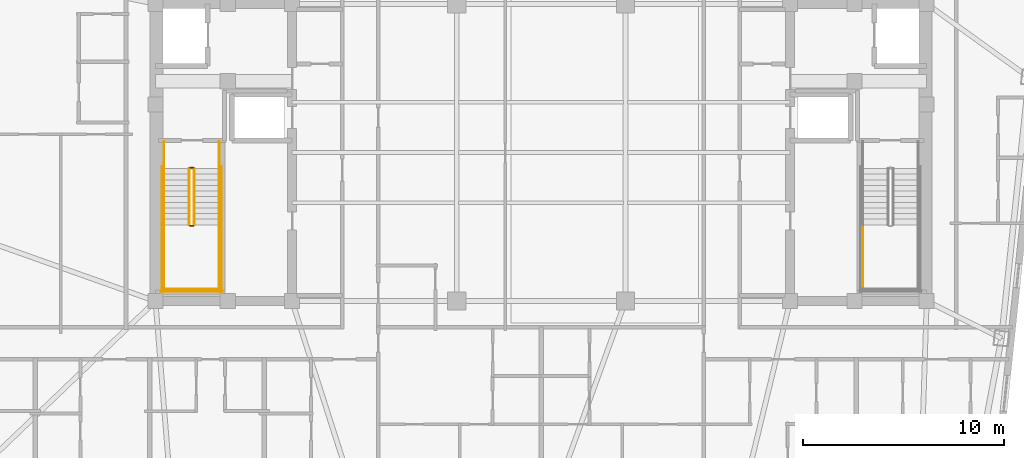
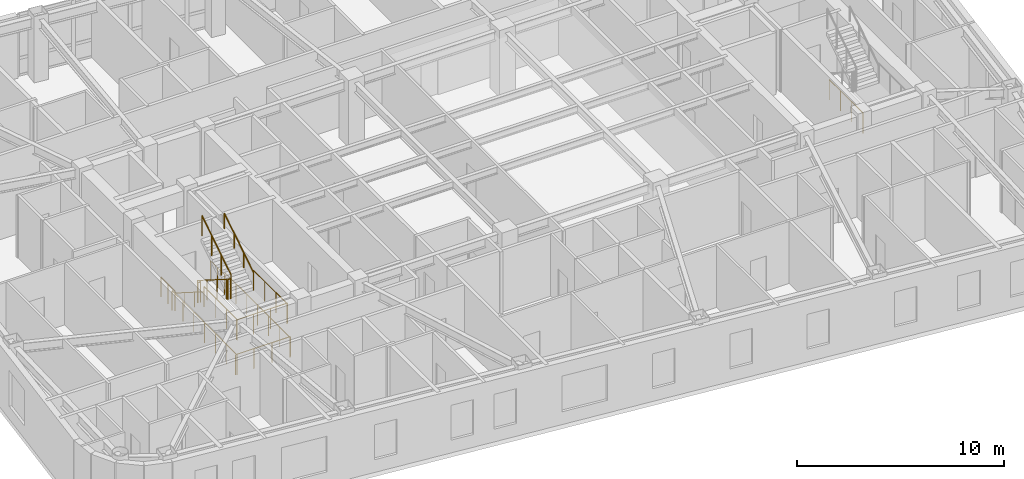
# One storey, part 14 of 16: 15 railings.
"""IFC4 building model written with IfcOpenShell, lengths in metres."""

from ifc_helpers import new_model, si_unit, direction, frame, origin, origin_2d, place, context, subcontext, project, spatial, circle, extrude, material, type_object, element, save


model = new_model("IFC4")

# Units and contexts
model_context = context("Model", 3, precision=1e-05, world=origin(), true_north=direction((0.0, 1.0)))
body_context = subcontext(model_context, "Body", "Model", "MODEL_VIEW")
ifc_project = project(units=[si_unit("LENGTHUNIT", "METRE"), si_unit("AREAUNIT", "SQUARE_METRE"), si_unit("VOLUMEUNIT", "CUBIC_METRE"), si_unit("PLANEANGLEUNIT", "RADIAN"), si_unit("MASSUNIT", "GRAM", prefix="KILO")], contexts=[model_context])

# Site, building, storey
site_placement = place(None, origin())
site = spatial("IfcSite", under=ifc_project, at=site_placement, CompositionType="ELEMENT")
building_placement = place(site_placement, origin())
building = spatial("IfcBuilding", under=site, at=building_placement, Name="Voryun Gate Residences", CompositionType="ELEMENT")
storey_placement = place(building_placement, frame((0.0, 0.0, 267.800048828125)))
storey = spatial("IfcBuildingStorey", under=building, at=storey_placement, Name="L66", CompositionType="ELEMENT", Elevation=267.800048828125)

# Railings
ifc_material_1 = material(Name="Painted steel", Category="steel")
railing_type_1 = type_object("IfcRailingType", Name="RAIL_STAIR_GUARD_1200", PredefinedType="GUARDRAIL", material=ifc_material_1)
railing_1_placement = place(storey_placement, frame((-17.52490234375, -0.800048828125, 0.17724609375)))
element("IfcRailing", 1, at=railing_1_placement, inside=storey, type_object=railing_type_1, Name="L66 ST-W1 stair guard 1", PredefinedType="GUARDRAIL", context=body_context, shape_type="SweptSolid", body=[
    extrude(circle(Radius=0.02392578125, at=origin_2d()), frame((0.0, 0.0, 1.17578125), z_axis=(0.0, -0.844908973607, 0.534910110503), x_axis=(1.0, 0.0, 0.0)), (0.0, 0.0, 1.0), 3.31396484375),
    extrude(circle(Radius=0.02099609375, at=origin_2d()), origin(), (0.0, 0.0, 1.0), 1.15185546875),
    extrude(circle(Radius=0.02099609375, at=origin_2d()), frame((0.0, -0.933349609375, 0.5908203125)), (0.0, 0.0, 1.0), 1.15185546875),
    extrude(circle(Radius=0.02099609375, at=origin_2d()), frame((0.0, -1.86669921875, 1.181884765625)), (0.0, 0.0, 1.0), 1.15185546875),
    extrude(circle(Radius=0.02099609375, at=origin_2d()), frame((0.0, -2.800048828125, 1.772705078125)), (0.0, 0.0, 1.0), 1.15185546875),
])
railing_2_placement = place(storey_placement, frame((-17.47509765625, -3.64990234375, 1.949951171875)))
element("IfcRailing", 2, at=railing_2_placement, inside=storey, type_object=railing_type_1, Name="L66 ST-W1 stair guard 2", PredefinedType="GUARDRAIL", context=body_context, shape_type="SweptSolid", body=[
    extrude(circle(Radius=0.02392578125, at=origin_2d()), frame((0.0, 0.0, 1.17578125), z_axis=(1.0, 0.0, 0.0), x_axis=(0.0, 1.0, 0.0)), (0.0, 0.0, 1.0), 0.150146484375),
    extrude(circle(Radius=0.02099609375, at=origin_2d()), origin(), (0.0, 0.0, 1.0), 1.15185546875),
    extrude(circle(Radius=0.02099609375, at=origin_2d()), frame((0.150146484375, 0.0, 0.0)), (0.0, 0.0, 1.0), 1.15185546875),
])
for number, where, name in (
    (3, (-18.77490234375, -3.60009765625, 1.949951171875), "L66 ST-W1 stair guard 3"),
    (4, (-16.02490234375, -3.60009765625, 1.949951171875), "L66 ST-W1 stair guard 4"),
):
    element("IfcRailing", number, at=place(storey_placement, frame(where)), inside=storey, type_object=railing_type_1, Name=name, PredefinedType="GUARDRAIL", context=body_context, shape_type="SweptSolid", body=[
        extrude(circle(Radius=0.02392578125, at=origin_2d()), frame((0.0, 0.0, 1.17578125), z_axis=(0.0, -1.0, 0.0), x_axis=(1.0, 0.0, 0.0)), (0.0, 0.0, 1.0), 3.25),
        extrude(circle(Radius=0.02099609375, at=origin_2d()), origin(), (0.0, 0.0, 1.0), 1.15185546875),
        extrude(circle(Radius=0.02099609375, at=origin_2d()), frame((0.0, -1.083251953125, 0.0)), (0.0, 0.0, 1.0), 1.15185546875),
        extrude(circle(Radius=0.02099609375, at=origin_2d()), frame((0.0, -2.166748046875, 0.0)), (0.0, 0.0, 1.0), 1.15185546875),
        extrude(circle(Radius=0.02099609375, at=origin_2d()), frame((0.0, -3.25, 0.0)), (0.0, 0.0, 1.0), 1.15185546875),
    ])
railing_3_placement = place(storey_placement, frame((-18.824951171875, -6.800048828125, 1.949951171875)))
element("IfcRailing", 5, at=railing_3_placement, inside=storey, type_object=railing_type_1, Name="L66 ST-W1 stair guard 5", PredefinedType="GUARDRAIL", context=body_context, shape_type="SweptSolid", body=[
    extrude(circle(Radius=0.02392578125, at=origin_2d()), frame((0.0, 0.0, 1.17578125), z_axis=(1.0, 0.0, 0.0), x_axis=(0.0, 1.0, 0.0)), (0.0, 0.0, 1.0), 2.849853515625),
    extrude(circle(Radius=0.02099609375, at=origin_2d()), origin(), (0.0, 0.0, 1.0), 1.15185546875),
    extrude(circle(Radius=0.02099609375, at=origin_2d()), frame((0.949951171875, 0.0, 0.0)), (0.0, 0.0, 1.0), 1.15185546875),
    extrude(circle(Radius=0.02099609375, at=origin_2d()), frame((1.89990234375, 0.0, 0.0)), (0.0, 0.0, 1.0), 1.15185546875),
    extrude(circle(Radius=0.02099609375, at=origin_2d()), frame((2.849853515625, 0.0, 0.0)), (0.0, 0.0, 1.0), 1.15185546875),
])
railing_4_placement = place(storey_placement, frame((-17.27490234375, -3.60009765625, 2.127197265625)))
element("IfcRailing", 6, at=railing_4_placement, inside=storey, type_object=railing_type_1, Name="L66 ST-W1 stair guard 6", PredefinedType="GUARDRAIL", context=body_context, shape_type="SweptSolid", body=[
    extrude(circle(Radius=0.02392578125, at=origin_2d()), frame((0.0, 0.0, 1.17578125), z_axis=(0.0, 0.844908973607, 0.534910110503), x_axis=(-1.0, 0.0, 0.0)), (0.0, 0.0, 1.0), 3.31396484375),
    extrude(circle(Radius=0.02099609375, at=origin_2d()), origin(), (0.0, 0.0, 1.0), 1.15185546875),
    extrude(circle(Radius=0.02099609375, at=origin_2d()), frame((0.0, 0.933349609375, 0.5908203125)), (0.0, 0.0, 1.0), 1.15185546875),
    extrude(circle(Radius=0.02099609375, at=origin_2d()), frame((0.0, 1.86669921875, 1.181884765625)), (0.0, 0.0, 1.0), 1.15185546875),
    extrude(circle(Radius=0.02099609375, at=origin_2d()), frame((0.0, 2.800048828125, 1.772705078125)), (0.0, 0.0, 1.0), 1.15185546875),
])
railing_5_placement = place(storey_placement, frame((-17.47509765625, -0.75, 0.0)))
element("IfcRailing", 7, at=railing_5_placement, inside=storey, type_object=railing_type_1, Name="L66 ST-W1 stair guard 7", PredefinedType="GUARDRAIL", context=body_context, shape_type="SweptSolid", body=[
    extrude(circle(Radius=0.02392578125, at=origin_2d()), frame((0.0, 0.0, 1.17578125), z_axis=(1.0, 0.0, 0.0), x_axis=(0.0, 1.0, 0.0)), (0.0, 0.0, 1.0), 0.150146484375),
    extrude(circle(Radius=0.02099609375, at=origin_2d()), origin(), (0.0, 0.0, 1.0), 1.15185546875),
    extrude(circle(Radius=0.02099609375, at=origin_2d()), frame((0.150146484375, 0.0, 0.0)), (0.0, 0.0, 1.0), 1.15185546875),
])
for number, where, name in (
    (8, (-18.77490234375, 0.550048828125, 0.0), "L66 ST-W1 stair guard 8"),
    (9, (-16.02490234375, 0.550048828125, 0.0), "L66 ST-W1 stair guard 9"),
):
    element("IfcRailing", number, at=place(storey_placement, frame(where)), inside=storey, type_object=railing_type_1, Name=name, PredefinedType="GUARDRAIL", context=body_context, shape_type="SweptSolid", body=[
        extrude(circle(Radius=0.02392578125, at=origin_2d()), frame((0.0, 0.0, 1.17578125), z_axis=(0.0, -1.0, 0.0), x_axis=(1.0, 0.0, 0.0)), (0.0, 0.0, 1.0), 1.35009765625),
        extrude(circle(Radius=0.02099609375, at=origin_2d()), origin(), (0.0, 0.0, 1.0), 1.15185546875),
        extrude(circle(Radius=0.02099609375, at=origin_2d()), frame((0.0, -0.675048828125, 0.0)), (0.0, 0.0, 1.0), 1.15185546875),
        extrude(circle(Radius=0.02099609375, at=origin_2d()), frame((0.0, -1.35009765625, 0.0)), (0.0, 0.0, 1.0), 1.15185546875),
    ])
for number, where, name in (
    (10, (-18.875, -0.699951171875, 0.0), "L66 ST-W1 stair guard 10"),
    (11, (-15.925048828125, -0.699951171875, 0.0), "L66 ST-W1 stair guard 11"),
):
    element("IfcRailing", number, at=place(storey_placement, frame(where)), inside=storey, type_object=railing_type_1, Name=name, PredefinedType="GUARDRAIL", context=body_context, shape_type="SweptSolid", body=[
        extrude(circle(Radius=0.02392578125, at=origin_2d()), frame((0.0, 0.0, 1.17578125), z_axis=(0.0, -1.0, 0.0), x_axis=(1.0, 0.0, 0.0)), (0.0, 0.0, 1.0), 6.25),
        extrude(circle(Radius=0.02099609375, at=origin_2d()), origin(), (0.0, 0.0, 1.0), 1.15185546875),
        extrude(circle(Radius=0.02099609375, at=origin_2d()), frame((0.0, -1.041748046875, 0.0)), (0.0, 0.0, 1.0), 1.15185546875),
        extrude(circle(Radius=0.02099609375, at=origin_2d()), frame((0.0, -2.083251953125, 0.0)), (0.0, 0.0, 1.0), 1.15185546875),
        extrude(circle(Radius=0.02099609375, at=origin_2d()), frame((0.0, -3.125, 0.0)), (0.0, 0.0, 1.0), 1.15185546875),
        extrude(circle(Radius=0.02099609375, at=origin_2d()), frame((0.0, -4.166748046875, 0.0)), (0.0, 0.0, 1.0), 1.15185546875),
        extrude(circle(Radius=0.02099609375, at=origin_2d()), frame((0.0, -5.208251953125, 0.0)), (0.0, 0.0, 1.0), 1.15185546875),
        extrude(circle(Radius=0.02099609375, at=origin_2d()), frame((0.0, -6.25, 0.0)), (0.0, 0.0, 1.0), 1.15185546875),
    ])
railing_6_placement = place(storey_placement, frame((-18.925048828125, -6.89990234375, 0.0)))
element("IfcRailing", 12, at=railing_6_placement, inside=storey, type_object=railing_type_1, Name="L66 ST-W1 stair guard 12", PredefinedType="GUARDRAIL", context=body_context, shape_type="SweptSolid", body=[
    extrude(circle(Radius=0.02392578125, at=origin_2d()), frame((0.0, 0.0, 1.17578125), z_axis=(1.0, 0.0, 0.0), x_axis=(0.0, 1.0, 0.0)), (0.0, 0.0, 1.0), 3.050048828125),
    extrude(circle(Radius=0.02099609375, at=origin_2d()), origin(), (0.0, 0.0, 1.0), 1.15185546875),
    extrude(circle(Radius=0.02099609375, at=origin_2d()), frame((1.0166015625, 0.0, 0.0)), (0.0, 0.0, 1.0), 1.15185546875),
    extrude(circle(Radius=0.02099609375, at=origin_2d()), frame((2.033447265625, 0.0, 0.0)), (0.0, 0.0, 1.0), 1.15185546875),
    extrude(circle(Radius=0.02099609375, at=origin_2d()), frame((3.050048828125, 0.0, 0.0)), (0.0, 0.0, 1.0), 1.15185546875),
])
railing_7_placement = place(storey_placement, frame((16.02490234375, -3.60009765625, 1.949951171875)))
element("IfcRailing", 13, at=railing_7_placement, inside=storey, type_object=railing_type_1, Name="L66 ST-E1 stair guard 3", PredefinedType="GUARDRAIL", context=body_context, shape_type="SweptSolid", body=[
    extrude(circle(Radius=0.02392578125, at=origin_2d()), frame((0.0, 0.0, 1.17578125), z_axis=(0.0, -1.0, 0.0), x_axis=(1.0, 0.0, 0.0)), (0.0, 0.0, 1.0), 3.25),
    extrude(circle(Radius=0.02099609375, at=origin_2d()), origin(), (0.0, 0.0, 1.0), 1.15185546875),
    extrude(circle(Radius=0.02099609375, at=origin_2d()), frame((0.0, -1.083251953125, 0.0)), (0.0, 0.0, 1.0), 1.15185546875),
    extrude(circle(Radius=0.02099609375, at=origin_2d()), frame((0.0, -2.166748046875, 0.0)), (0.0, 0.0, 1.0), 1.15185546875),
    extrude(circle(Radius=0.02099609375, at=origin_2d()), frame((0.0, -3.25, 0.0)), (0.0, 0.0, 1.0), 1.15185546875),
])
ifc_material_2 = material(Name="Painted steel", Category="steel")
railing_type_2 = type_object("IfcRailingType", Name="RAIL_STAIR_HANDRAIL_900", PredefinedType="HANDRAIL", material=ifc_material_2)
railing_8_placement = place(storey_placement, frame((-18.77490234375, -0.800048828125, 0.17724609375)))
element("IfcRailing", 14, at=railing_8_placement, inside=storey, type_object=railing_type_2, Name="L66 ST-W1 stair handrail 1", PredefinedType="HANDRAIL", context=body_context, shape_type="SweptSolid", body=[
    extrude(circle(Radius=0.02392578125, at=origin_2d()), frame((0.0, 0.0, 0.8759765625), z_axis=(0.0, -0.844908973607, 0.534910110503), x_axis=(1.0, 0.0, 0.0)), (0.0, 0.0, 1.0), 3.31396484375),
    extrude(circle(Radius=0.02099609375, at=origin_2d()), origin(), (0.0, 0.0, 1.0), 0.851806640625),
    extrude(circle(Radius=0.02099609375, at=origin_2d()), frame((0.0, -0.933349609375, 0.5908203125)), (0.0, 0.0, 1.0), 0.851806640625),
    extrude(circle(Radius=0.02099609375, at=origin_2d()), frame((0.0, -1.86669921875, 1.181884765625)), (0.0, 0.0, 1.0), 0.851806640625),
    extrude(circle(Radius=0.02099609375, at=origin_2d()), frame((0.0, -2.800048828125, 1.772705078125)), (0.0, 0.0, 1.0), 0.851806640625),
])
railing_9_placement = place(storey_placement, frame((-16.02490234375, -3.60009765625, 2.127197265625)))
element("IfcRailing", 15, at=railing_9_placement, inside=storey, type_object=railing_type_2, Name="L66 ST-W1 stair handrail 2", PredefinedType="HANDRAIL", context=body_context, shape_type="SweptSolid", body=[
    extrude(circle(Radius=0.02392578125, at=origin_2d()), frame((0.0, 0.0, 0.8759765625), z_axis=(0.0, 0.844908973607, 0.534910110503), x_axis=(-1.0, 0.0, 0.0)), (0.0, 0.0, 1.0), 3.31396484375),
    extrude(circle(Radius=0.02099609375, at=origin_2d()), origin(), (0.0, 0.0, 1.0), 0.851806640625),
    extrude(circle(Radius=0.02099609375, at=origin_2d()), frame((0.0, 0.933349609375, 0.5908203125)), (0.0, 0.0, 1.0), 0.851806640625),
    extrude(circle(Radius=0.02099609375, at=origin_2d()), frame((0.0, 1.86669921875, 1.181884765625)), (0.0, 0.0, 1.0), 0.851806640625),
    extrude(circle(Radius=0.02099609375, at=origin_2d()), frame((0.0, 2.800048828125, 1.772705078125)), (0.0, 0.0, 1.0), 0.851806640625),
])

save(model, "model.ifc")
